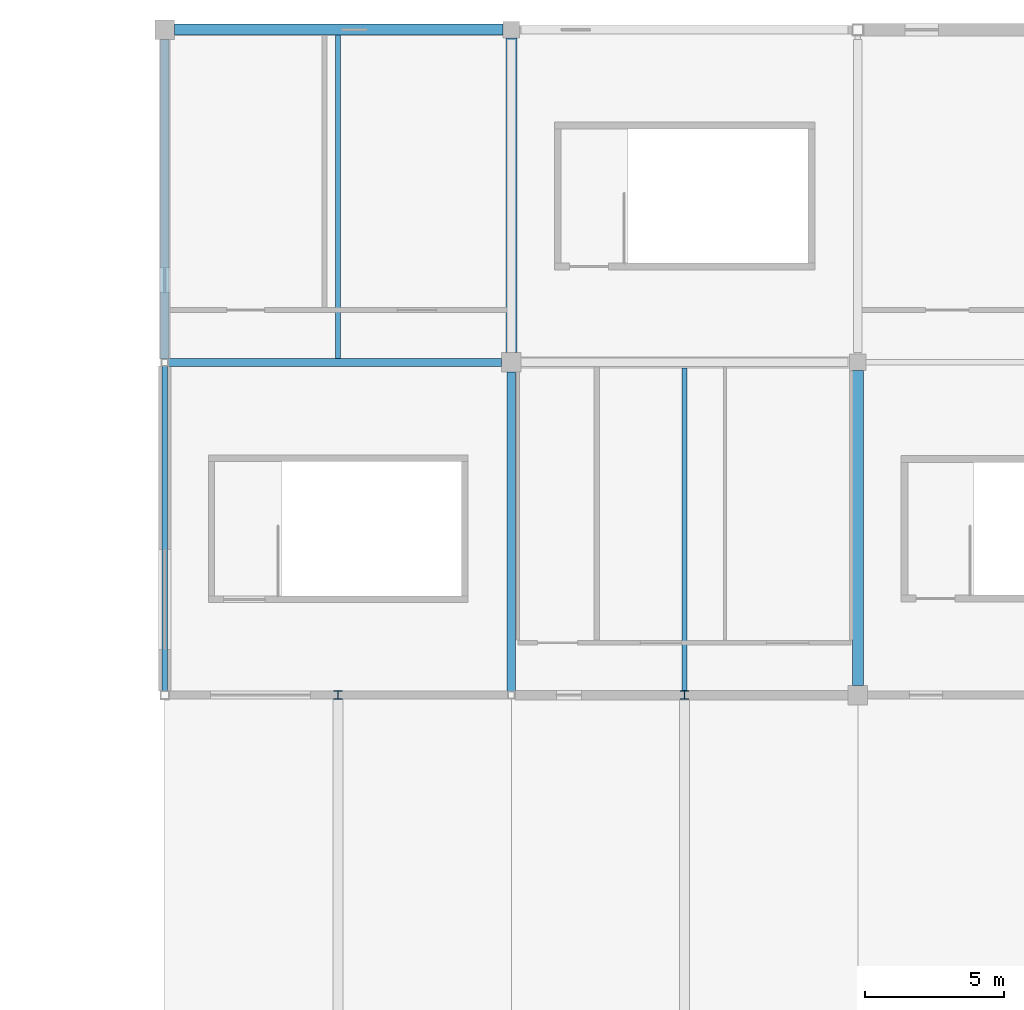
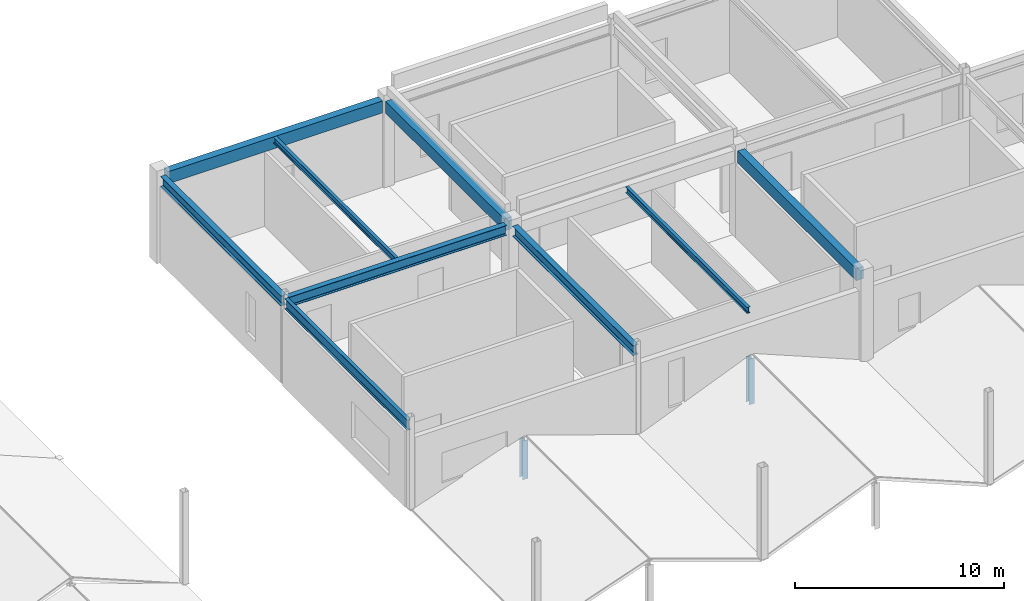
# One storey, part 42 of 76: 9 beams, 2 members.
"""IFC4 building model written with IfcOpenShell, lengths in metres."""

from ifc_helpers import new_model, si_unit, direction, frame, origin, origin_2d, place, context, subcontext, project, spatial, rectangle, i_section, extrude, material, material_profile, profile_set, type_object, element, save


model = new_model("IFC4")

# Units and contexts
model_context = context("Model", 3, precision=1e-05, world=origin(), true_north=direction((0.0, 1.0)))
body_context = subcontext(model_context, "Body", "Model", "MODEL_VIEW")
ifc_project = project(units=[si_unit("LENGTHUNIT", "METRE"), si_unit("AREAUNIT", "SQUARE_METRE"), si_unit("VOLUMEUNIT", "CUBIC_METRE"), si_unit("PLANEANGLEUNIT", "RADIAN"), si_unit("MASSUNIT", "GRAM", prefix="KILO")], contexts=[model_context])

# Site, building, storey
site_placement = place(None, origin())
site = spatial("IfcSite", under=ifc_project, at=site_placement, CompositionType="ELEMENT")
building_placement = place(site_placement, origin())
building = spatial("IfcBuilding", under=site, at=building_placement, Name="Kazenohara Klinker Stadium", CompositionType="ELEMENT")
storey_placement = place(building_placement, frame((0.0, 0.0, 25.800048828125)))
storey = spatial("IfcBuildingStorey", under=building, at=storey_placement, Name="L05", CompositionType="ELEMENT", Elevation=25.800048828125)

# Beams
ifc_material_1 = material(Name="Steel S355", Category="steel")
ifc_material_profile_1 = material_profile(ifc_material_1, i_section(OverallWidth=0.175048828125, OverallDepth=0.35009765625, WebThickness=0.007080078125, FlangeThickness=0.010986328125, FilletRadius=0.012939453125, at=origin_2d()), Name="H-350x175x7x11")
ifc_profile_set_1 = profile_set([ifc_material_profile_1], Name="Steel S355")
beam_type_1 = type_object("IfcBeamType", Name="BM-JST04", PredefinedType="JOIST", material=ifc_profile_set_1)
for number, where, z_axis, x_axis, name in (
    (1, (55.25, 156.14990234375, 4.864990234375), (0.0, 1.0, 0.0), (-1.0, 0.0, 0.0), "Secondary floor joist SJ04 L05 5/P"),
    (2, (67.75, 144.14990234375, 4.864990234375), (0.0, 1.0, 0.0), (-1.0, 0.0, 0.0), "Secondary floor joist SJ04 L05 6/N"),
):
    element("IfcBeam", number, at=place(storey_placement, frame(where, z_axis=z_axis, x_axis=x_axis)), inside=storey, type_object=beam_type_1, Name=name, PredefinedType="JOIST", context=body_context, shape_type="SweptSolid", body=[
        extrude(i_section(OverallWidth=0.175048828125, OverallDepth=0.35009765625, WebThickness=0.007080078125, FlangeThickness=0.010986328125, FilletRadius=0.012939453125, at=origin_2d()), origin(), (0.0, 0.0, 1.0), 11.650146484375),
    ])
ifc_material_2 = material(Name="Concrete C40/50", Category="concrete")
ifc_material_profile_2 = material_profile(ifc_material_2, rectangle(XDim=0.39990234375, YDim=0.699951171875, at=origin_2d()), Name="RC-BM-400x700")
ifc_profile_set_2 = profile_set([ifc_material_profile_2], Name="Concrete C40/50")
beam_type_2 = type_object("IfcBeamType", Name="BM-RC04", PredefinedType="BEAM", material=ifc_profile_set_2)
beam_1_placement = place(storey_placement, frame((49.35009765625, 168.0, 4.68994140625), z_axis=(1.0, 0.0, 0.0), x_axis=(0.0, 1.0, 0.0)))
element("IfcBeam", 3, at=beam_1_placement, inside=storey, type_object=beam_type_2, Name="Primary girder BG04 L05 5-6/Q", PredefinedType="BEAM", context=body_context, shape_type="SweptSolid", body=[
    extrude(rectangle(XDim=0.39990234375, YDim=0.699951171875, at=origin_2d()), origin(), (0.0, 0.0, 1.0), 11.849853515625),
])
for number, where, z_axis, x_axis, name in (
    (4, (61.5, 156.35009765625, 4.68994140625), (0.0, 1.0, 0.0), (-1.0, 0.0, 0.0), "Primary girder BG04 L05 6/P-Q"),
    (5, (74.0, 144.35009765625, 4.68994140625), (0.0, 1.0, 0.0), (-1.0, 0.0, 0.0), "Primary girder BG04 L05 7/N-P"),
):
    element("IfcBeam", number, at=place(storey_placement, frame(where, z_axis=z_axis, x_axis=x_axis)), inside=storey, type_object=beam_type_2, Name=name, PredefinedType="BEAM", context=body_context, shape_type="SweptSolid", body=[
        extrude(rectangle(XDim=0.39990234375, YDim=0.699951171875, at=origin_2d()), origin(), (0.0, 0.0, 1.0), 11.349853515625),
    ])
ifc_material_profile_3 = material_profile(ifc_material_1, i_section(OverallWidth=0.199951171875, OverallDepth=0.60009765625, WebThickness=0.010986328125, FlangeThickness=0.01708984375, FilletRadius=0.012939453125, at=origin_2d()), Name="H-600x200x11x17")
ifc_profile_set_3 = profile_set([ifc_material_profile_3], Name="Steel S355")
beam_type_3 = type_object("IfcBeamType", Name="BM-ST04", PredefinedType="BEAM", material=ifc_profile_set_3)
beam_2_placement = place(storey_placement, frame((49.0, 144.14990234375, 4.739990234375), z_axis=(0.0, 1.0, 0.0), x_axis=(-1.0, 0.0, 0.0)))
element("IfcBeam", 6, at=beam_2_placement, inside=storey, type_object=beam_type_3, Name="Primary girder SB04 L05 5/N-P", PredefinedType="BEAM", context=body_context, shape_type="SweptSolid", body=[
    extrude(i_section(OverallWidth=0.199951171875, OverallDepth=0.60009765625, WebThickness=0.010986328125, FlangeThickness=0.01708984375, FilletRadius=0.012939453125, at=origin_2d()), origin(), (0.0, 0.0, 1.0), 11.72509765625),
])
ifc_material_profile_4 = material_profile(ifc_material_1, i_section(OverallWidth=0.300048828125, OverallDepth=0.587890625, WebThickness=0.011962890625, FlangeThickness=0.02001953125, FilletRadius=0.02197265625, at=origin_2d()), Name="H-588x300x12x20")
ifc_profile_set_4 = profile_set([ifc_material_profile_4], Name="Steel S355")
beam_type_4 = type_object("IfcBeamType", Name="BM-ST05", PredefinedType="BEAM", material=ifc_profile_set_4)
beam_3_placement = place(storey_placement, frame((49.125, 156.0, 4.745849609375), z_axis=(1.0, 0.0, 0.0), x_axis=(0.0, 1.0, 0.0)))
element("IfcBeam", 7, at=beam_3_placement, inside=storey, type_object=beam_type_4, Name="Primary girder SB05 L05 5-6/P", PredefinedType="BEAM", context=body_context, shape_type="SweptSolid", body=[
    extrude(i_section(OverallWidth=0.300048828125, OverallDepth=0.587890625, WebThickness=0.011962890625, FlangeThickness=0.02001953125, FilletRadius=0.02197265625, at=origin_2d()), origin(), (0.0, 0.0, 1.0), 12.02490234375),
])
for number, where, z_axis, x_axis, name in (
    (8, (49.0, 156.125, 4.745849609375), (0.0, 1.0, 0.0), (-1.0, 0.0, 0.0), "Primary girder SB05 L05 5/P-Q"),
    (9, (61.5, 144.125, 4.745849609375), (0.0, 1.0, 0.0), (-1.0, 0.0, 0.0), "Primary girder SB05 L05 6/N-P"),
):
    element("IfcBeam", number, at=place(storey_placement, frame(where, z_axis=z_axis, x_axis=x_axis)), inside=storey, type_object=beam_type_4, Name=name, PredefinedType="BEAM", context=body_context, shape_type="SweptSolid", body=[
        extrude(i_section(OverallWidth=0.300048828125, OverallDepth=0.587890625, WebThickness=0.011962890625, FlangeThickness=0.02001953125, FilletRadius=0.02197265625, at=origin_2d()), origin(), (0.0, 0.0, 1.0), 11.52490234375),
    ])

# Members
ifc_material_profile_5 = material_profile(ifc_material_1, i_section(OverallWidth=0.300048828125, OverallDepth=0.300048828125, WebThickness=0.010009765625, FlangeThickness=0.014892578125, FilletRadius=0.012939453125, at=origin_2d()), Name="H-300x300x10x15")
ifc_profile_set_5 = profile_set([ifc_material_profile_5], Name="Steel S355")
member_type = type_object("IfcMemberType", Name="MEM-STR01", PredefinedType="STRUT", material=ifc_profile_set_5)
member_1_placement = place(storey_placement, frame((55.25, 144.0, -0.429931640625), z_axis=(0.0, 0.0, 1.0), x_axis=(1.0, 0.0, 0.0)))
element("IfcMember", 10, at=member_1_placement, inside=storey, type_object=member_type, Name="Stepped pavilion gable king-post L05 5/M N", PredefinedType="STRUT", context=body_context, shape_type="SweptSolid", body=[
    extrude(i_section(OverallWidth=0.300048828125, OverallDepth=0.300048828125, WebThickness=0.010009765625, FlangeThickness=0.014892578125, FilletRadius=0.012939453125, at=origin_2d()), origin(), (0.0, 0.0, 1.0), 2.259765625),
])
member_2_placement = place(storey_placement, frame((67.75, 144.0, -0.429931640625), z_axis=(0.0, 0.0, 1.0), x_axis=(1.0, 0.0, 0.0)))
element("IfcMember", 11, at=member_2_placement, inside=storey, type_object=member_type, Name="Stepped pavilion gable king-post L05 6/M N", PredefinedType="STRUT", context=body_context, shape_type="SweptSolid", body=[
    extrude(i_section(OverallWidth=0.300048828125, OverallDepth=0.300048828125, WebThickness=0.010009765625, FlangeThickness=0.014892578125, FilletRadius=0.012939453125, at=origin_2d()), origin(), (0.0, 0.0, 1.0), 2.659912109375),
])

save(model, "model.ifc")
